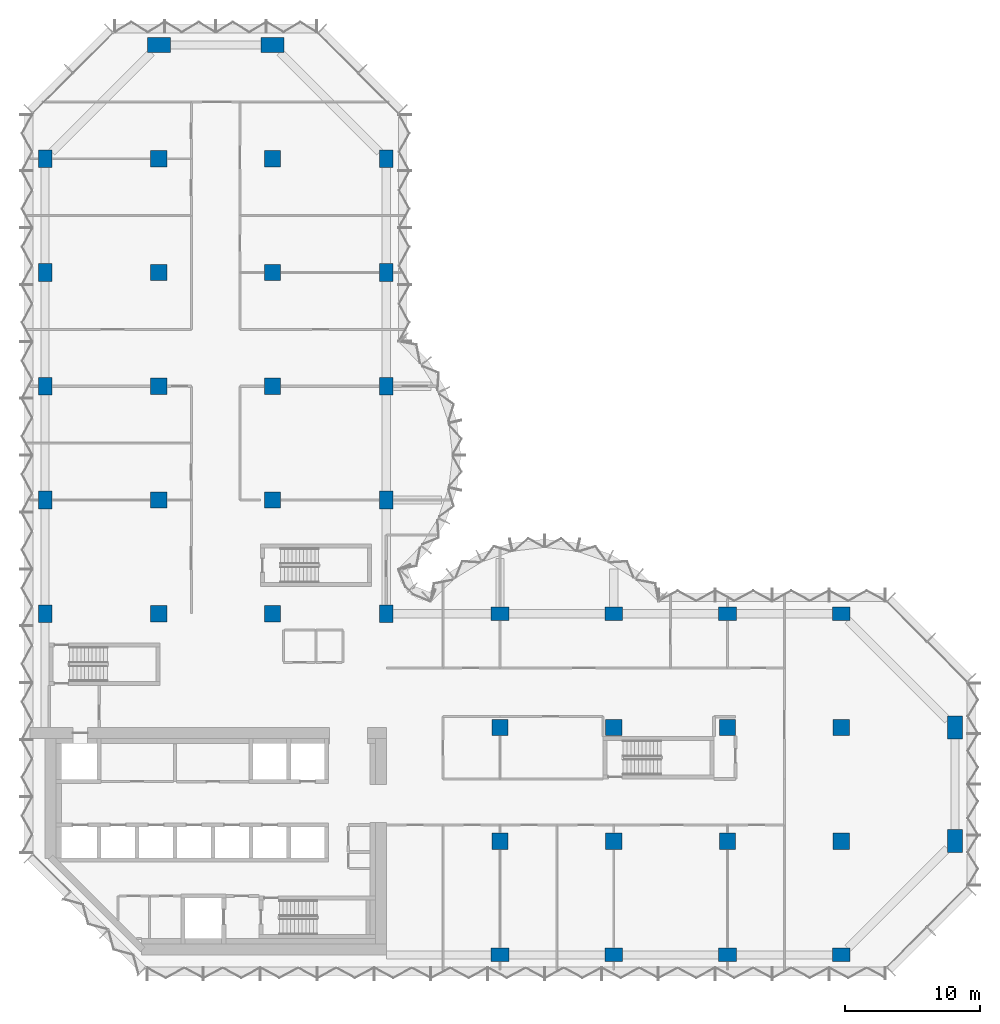
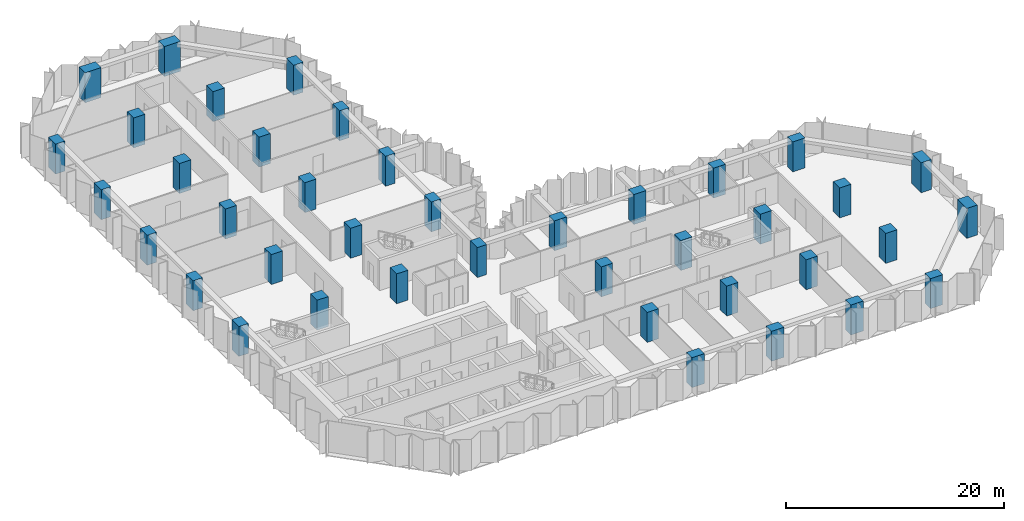
# One storey, part 1 of 13: 40 columns.
"""IFC4 building model written with IfcOpenShell, lengths in metres."""

import ifcopenshell
import ifcopenshell.guid

model = None  # the IFC model being written
_history = None  # IfcOwnerHistory: only IFC2X3 demands one
_inside = {}  # id of a spatial element -> (the spatial element, [elements in it])
_under = {}  # id of a project, library or spatial element -> (it, [spatial elements below it])
_declared = {}  # id of a project -> (the project, [libraries it declares])
_typed = {}  # id of a type object -> (the type object, [elements of that type])
_made_of = {}  # id of a material, layer set ... -> (it, [elements and type objects made of it])


def new_model(schema):
    """Start an empty IFC model of exactly this schema.

    Asked for "IFC4X3", IfcOpenShell would pick the latest addendum, in which some entities
    have other attributes; the version numbers below select the first issue.
    IFC2X3 requires an IfcOwnerHistory on every rooted entity: one is made here for all.
    """
    global model, _history
    if schema == "IFC4X3":
        model = ifcopenshell.file(schema_version=(4, 3, 0, 0))
    else:
        model = ifcopenshell.file(schema=schema)
    _inside.clear()
    _under.clear()
    _declared.clear()
    _typed.clear()
    _made_of.clear()
    _history = None
    if model.schema == "IFC2X3":
        org = make("IfcOrganization", Name="unknown")
        user = make(
            "IfcPersonAndOrganization",
            ThePerson=make("IfcPerson", FamilyName="unknown"),
            TheOrganization=org,
        )
        app = make(
            "IfcApplication",
            ApplicationDeveloper=org,
            Version="unknown",
            ApplicationFullName="unknown",
            ApplicationIdentifier="unknown",
        )
        _history = make(
            "IfcOwnerHistory",
            OwningUser=user,
            OwningApplication=app,
            ChangeAction="ADDED",
            CreationDate=0,
        )
    return model


def make(cls, **values):
    """One entity of the class cls with the attributes given. An attribute that is None is left unset."""
    return model.create_entity(
        cls, **{name: value for name, value in values.items() if value is not None}
    )


def rooted(cls, **values):
    """An entity with a GlobalId (a new one), such as an element, a storey or a relation."""
    return make(cls, GlobalId=ifcopenshell.guid.new(), OwnerHistory=_history, **values)


def si_unit(unit_type, name, prefix=None):
    """IfcSIUnit, for example si_unit("LENGTHUNIT", "METRE", prefix="MILLI")."""
    return make("IfcSIUnit", UnitType=unit_type, Prefix=prefix, Name=name)


def assignment(units):
    """IfcUnitAssignment: the units of a project."""
    return None if units is None else make("IfcUnitAssignment", Units=units)


def point(xyz):
    """IfcCartesianPoint."""
    return None if xyz is None else make("IfcCartesianPoint", Coordinates=xyz)


def direction(xyz):
    """IfcDirection."""
    return None if xyz is None else make("IfcDirection", DirectionRatios=xyz)


def frame(location, z_axis=None, x_axis=None):
    """IfcAxis2Placement3D, a coordinate frame: its origin and axes. An axis left out is left unset."""
    return make(
        "IfcAxis2Placement3D",
        Location=point(location),
        Axis=direction(z_axis),
        RefDirection=direction(x_axis),
    )


def frame_2d(location, x_axis=None):
    """IfcAxis2Placement2D, a coordinate frame in the plane: its origin and x axis."""
    return make(
        "IfcAxis2Placement2D", Location=point(location), RefDirection=direction(x_axis)
    )


def origin():
    """The frame at (0, 0, 0) with its axes left unset."""
    return frame((0.0, 0.0, 0.0))


def origin_2d():
    """The frame at (0, 0) in the plane with its x axis left unset."""
    return frame_2d((0.0, 0.0))


def place(relative_to, where):
    """IfcLocalPlacement: puts the frame where relative to a parent placement (None: the world)."""
    return make(
        "IfcLocalPlacement", PlacementRelTo=relative_to, RelativePlacement=where
    )


def context(
    kind, dimensions, precision=None, world=None, true_north=None, identifier=None
):
    """IfcGeometricRepresentationContext, for example the 3D "Model" context."""
    return make(
        "IfcGeometricRepresentationContext",
        ContextIdentifier=identifier,
        ContextType=kind,
        CoordinateSpaceDimension=dimensions,
        Precision=precision,
        WorldCoordinateSystem=world,
        TrueNorth=true_north,
    )


def subcontext(parent, identifier, kind, view, scale=None):
    """IfcGeometricRepresentationSubContext, for example "Body" below "Model"."""
    return make(
        "IfcGeometricRepresentationSubContext",
        ContextIdentifier=identifier,
        ContextType=kind,
        ParentContext=parent,
        TargetScale=scale,
        TargetView=view,
    )


def project(units=None, contexts=None):
    """IfcProject with its units and contexts."""
    return rooted(
        "IfcProject",
        Name="project",
        RepresentationContexts=contexts,
        UnitsInContext=assignment(units),
    )


def spatial(cls, under=None, at=None, **own):
    """A site, building, storey or space (cls), placed at a placement, below another one or the project."""
    s = rooted(cls, ObjectPlacement=at, **own)
    if under is not None:
        _under.setdefault(under.id(), (under, []))[1].append(s)
    return s


def profile(cls, at=None, kind="AREA", **sizes):
    """A parametric profile (cls). Its sizes go by their IFC names, for example OverallWidth=200.0."""
    return make(cls, ProfileType=kind, Position=at, **sizes)


def rectangle(**sizes):
    """IfcRectangleProfileDef."""
    return profile("IfcRectangleProfileDef", **sizes)


def extrude(swept, where, along, depth):
    """IfcExtrudedAreaSolid: the profile swept, set in the frame where, extruded along a direction by depth."""
    return make(
        "IfcExtrudedAreaSolid",
        SweptArea=swept,
        Position=where,
        ExtrudedDirection=direction(along),
        Depth=depth,
    )


def shape(context_of_items, identifier, shape_type, items):
    """IfcShapeRepresentation: the items that make up one representation, for example the "Body"."""
    return make(
        "IfcShapeRepresentation",
        ContextOfItems=context_of_items,
        RepresentationIdentifier=identifier,
        RepresentationType=shape_type,
        Items=items,
    )


def material(Name=None, Category=None):
    """IfcMaterial."""
    return make("IfcMaterial", Name=Name, Category=Category)


def material_profile(
    of_material, cross_section, Name=None, Category=None, Priority=None
):
    """IfcMaterialProfile: a cross section and its material."""
    return make(
        "IfcMaterialProfile",
        Name=Name,
        Material=of_material,
        Profile=cross_section,
        Priority=Priority,
        Category=Category,
    )


def profile_set(profiles, Name=None, composite=None):
    """IfcMaterialProfileSet."""
    return make(
        "IfcMaterialProfileSet",
        Name=Name,
        MaterialProfiles=profiles,
        CompositeProfile=composite,
    )


def made_of(thing, what):
    """Note that an element or type object is made of a material, layer set ...; save() writes the relation."""
    if what is not None:
        _made_of.setdefault(what.id(), (what, []))[1].append(thing)
    return thing


def type_object(cls, material=None, **own):
    """A type object (cls), such as IfcWallType, which elements share."""
    return made_of(rooted(cls, **own), material)


def element(
    cls,
    number,
    at=None,
    inside=None,
    cuts=None,
    type_object=None,
    material=None,
    context=None,
    identifier="Body",
    shape_type=None,
    held_by="IfcProductDefinitionShape",
    body=None,
    shapes=None,
    **own,
):
    """One element of the class cls, such as IfcWall. Its Tag is "e" and its number.

    at: its placement. inside: the storey or other place that contains it. cuts: it is an
    opening in that element (IfcRelVoidsElement). A single representation is given by context,
    identifier, shape_type and body (its items); several are given by shapes. held_by: the class
    of the entity that holds the representations. save() writes the other relations.
    """
    e = rooted(cls, Tag="e%d" % number, ObjectPlacement=at, **own)
    if body is not None:
        shapes = [shape(context, identifier, shape_type, body)]
    if shapes is not None:
        e.Representation = make(held_by, Representations=shapes)
    if inside is not None:
        _inside.setdefault(inside.id(), (inside, []))[1].append(e)
    if cuts is not None:
        rooted(
            "IfcRelVoidsElement", RelatingBuildingElement=cuts, RelatedOpeningElement=e
        )
    if type_object is not None:
        _typed.setdefault(type_object.id(), (type_object, []))[1].append(e)
    return made_of(e, material)


def aggregate(whole, parts):
    """IfcRelAggregates: a whole, such as a stair, and the parts it consists of."""
    return rooted("IfcRelAggregates", RelatingObject=whole, RelatedObjects=parts)


def save(model, path):
    """Write the relations noted so far, then the file.

    IfcRelAggregates (storeys below a building ...), IfcRelContainedInSpatialStructure (elements
    in a storey), IfcRelDefinesByType, IfcRelAssociatesMaterial and IfcRelDeclares: one each for
    every whole, place, type object, material and project.
    """
    for whole, parts in _under.values():
        aggregate(whole, parts)
    for where, things in _inside.values():
        rooted(
            "IfcRelContainedInSpatialStructure",
            RelatedElements=things,
            RelatingStructure=where,
        )
    for kind, things in _typed.values():
        rooted("IfcRelDefinesByType", RelatedObjects=things, RelatingType=kind)
    for what, things in _made_of.values():
        rooted("IfcRelAssociatesMaterial", RelatedObjects=things, RelatingMaterial=what)
    for by, libraries in _declared.values():
        rooted("IfcRelDeclares", RelatingContext=by, RelatedDefinitions=libraries)
    model.write(path)


model = new_model("IFC4")

# Units and contexts
model_context = context("Model", 3, precision=1e-05, world=origin(), true_north=direction((0.0, 1.0)))
body_context = subcontext(model_context, "Body", "Model", "MODEL_VIEW")
ifc_project = project(units=[si_unit("LENGTHUNIT", "METRE"), si_unit("AREAUNIT", "SQUARE_METRE"), si_unit("VOLUMEUNIT", "CUBIC_METRE"), si_unit("PLANEANGLEUNIT", "RADIAN"), si_unit("MASSUNIT", "GRAM", prefix="KILO")], contexts=[model_context])

# Site, building, storey
site_placement = place(None, origin())
site = spatial("IfcSite", under=ifc_project, at=site_placement, CompositionType="ELEMENT")
building_placement = place(site_placement, origin())
building = spatial("IfcBuilding", under=site, at=building_placement, Name="Brevane Broadcast Tower", CompositionType="ELEMENT")
storey_placement = place(building_placement, frame((0.0, 0.0, 127.699951171875)))
storey = spatial("IfcBuildingStorey", under=building, at=storey_placement, Name="L31", CompositionType="ELEMENT", Elevation=127.699951171875)

# Columns
ifc_material = material(Name="Concrete C60/75", Category="concrete")
ifc_material_profile_1 = material_profile(ifc_material, rectangle(XDim=1.0, YDim=1.300048828125, at=origin_2d()), Name="RC 1000x1300")
ifc_profile_set_1 = profile_set([ifc_material_profile_1], Name="Concrete C60/75")
column_type_1 = type_object("IfcColumnType", Name="RC COLUMN EDGE 1000x1300 C60/75", PredefinedType="COLUMN", material=ifc_profile_set_1)
for number, where, z_axis, x_axis, name in (
    (1, (0.0, 25.199951171875, 0.0), (0.0, 0.0, 1.0), (1.0, 0.0, 0.0), "CE8 1/D"),
    (2, (0.0, 33.60009765625, 0.0), (0.0, 0.0, 1.0), (1.0, 0.0, 0.0), "CE8 1/E"),
    (3, (0.0, 42.0, 0.0), (0.0, 0.0, 1.0), (1.0, 0.0, 0.0), "CE8 1/F"),
    (4, (0.0, 50.39990234375, 0.0), (0.0, 0.0, 1.0), (1.0, 0.0, 0.0), "CE8 1/G"),
    (5, (0.0, 58.800048828125, 0.0), (0.0, 0.0, 1.0), (1.0, 0.0, 0.0), "CE8 1/H"),
    (6, (25.199951171875, 25.199951171875, 0.0), (0.0, 0.0, 1.0), (1.0, 0.0, 0.0), "CE8 4/D"),
    (7, (25.199951171875, 33.60009765625, 0.0), (0.0, 0.0, 1.0), (1.0, 0.0, 0.0), "CE8 4/E"),
    (8, (25.199951171875, 42.0, 0.0), (0.0, 0.0, 1.0), (1.0, 0.0, 0.0), "CE8 4/F"),
    (9, (25.199951171875, 50.39990234375, 0.0), (0.0, 0.0, 1.0), (1.0, 0.0, 0.0), "CE8 4/G"),
    (10, (25.199951171875, 58.800048828125, 0.0), (0.0, 0.0, 1.0), (1.0, 0.0, 0.0), "CE8 4/H"),
    (11, (33.60009765625, 0.0, 0.0), (0.0, 0.0, 1.0), (0.0, 1.0, 0.0), "CE8 5/A"),
    (12, (33.60009765625, 25.199951171875, 0.0), (0.0, 0.0, 1.0), (0.0, 1.0, 0.0), "CE8 5/D"),
    (13, (42.0, 0.0, 0.0), (0.0, 0.0, 1.0), (0.0, 1.0, 0.0), "CE8 6/A"),
    (14, (42.0, 25.199951171875, 0.0), (0.0, 0.0, 1.0), (0.0, 1.0, 0.0), "CE8 6/D"),
    (15, (50.39990234375, 0.0, 0.0), (0.0, 0.0, 1.0), (0.0, 1.0, 0.0), "CE8 7/A"),
    (16, (50.39990234375, 25.199951171875, 0.0), (0.0, 0.0, 1.0), (0.0, 1.0, 0.0), "CE8 7/D"),
    (17, (58.800048828125, 0.0, 0.0), (0.0, 0.0, 1.0), (0.0, 1.0, 0.0), "CE8 8/A"),
    (18, (58.800048828125, 25.199951171875, 0.0), (0.0, 0.0, 1.0), (0.0, 1.0, 0.0), "CE8 8/D"),
):
    element("IfcColumn", number, at=place(storey_placement, frame(where, z_axis=z_axis, x_axis=x_axis)), inside=storey, type_object=column_type_1, Name=name, PredefinedType="COLUMN", context=body_context, shape_type="SweptSolid", body=[
        extrude(rectangle(XDim=1.0, YDim=1.300048828125, at=origin_2d()), origin(), (0.0, 0.0, 1.0), 3.35009765625),
    ])
ifc_material_profile_2 = material_profile(ifc_material, rectangle(XDim=1.199951171875, YDim=1.199951171875, at=origin_2d()), Name="RC 1200x1200")
ifc_profile_set_2 = profile_set([ifc_material_profile_2], Name="Concrete C60/75")
column_type_2 = type_object("IfcColumnType", Name="RC COLUMN INTERIOR 1200x1200 C60/75", PredefinedType="COLUMN", material=ifc_profile_set_2)
for number, where, z_axis, x_axis, name in (
    (19, (8.39990234375, 25.199951171875, 0.0), (0.0, 0.0, 1.0), (1.0, 0.0, 0.0), "CI9 2/D"),
    (20, (8.39990234375, 33.60009765625, 0.0), (0.0, 0.0, 1.0), (1.0, 0.0, 0.0), "CI9 2/E"),
    (21, (8.39990234375, 42.0, 0.0), (0.0, 0.0, 1.0), (1.0, 0.0, 0.0), "CI9 2/F"),
    (22, (8.39990234375, 50.39990234375, 0.0), (0.0, 0.0, 1.0), (1.0, 0.0, 0.0), "CI9 2/G"),
    (23, (8.39990234375, 58.800048828125, 0.0), (0.0, 0.0, 1.0), (1.0, 0.0, 0.0), "CI9 2/H"),
    (24, (16.800048828125, 25.199951171875, 0.0), (0.0, 0.0, 1.0), (1.0, 0.0, 0.0), "CI9 3/D"),
    (25, (16.800048828125, 33.60009765625, 0.0), (0.0, 0.0, 1.0), (1.0, 0.0, 0.0), "CI9 3/E"),
    (26, (16.800048828125, 42.0, 0.0), (0.0, 0.0, 1.0), (1.0, 0.0, 0.0), "CI9 3/F"),
    (27, (16.800048828125, 50.39990234375, 0.0), (0.0, 0.0, 1.0), (1.0, 0.0, 0.0), "CI9 3/G"),
    (28, (16.800048828125, 58.800048828125, 0.0), (0.0, 0.0, 1.0), (1.0, 0.0, 0.0), "CI9 3/H"),
    (29, (33.60009765625, 8.39990234375, 0.0), (0.0, 0.0, 1.0), (1.0, 0.0, 0.0), "CI9 5/B"),
    (30, (33.60009765625, 16.800048828125, 0.0), (0.0, 0.0, 1.0), (1.0, 0.0, 0.0), "CI9 5/C"),
    (31, (42.0, 8.39990234375, 0.0), (0.0, 0.0, 1.0), (1.0, 0.0, 0.0), "CI9 6/B"),
    (32, (42.0, 16.800048828125, 0.0), (0.0, 0.0, 1.0), (1.0, 0.0, 0.0), "CI9 6/C"),
    (33, (50.39990234375, 8.39990234375, 0.0), (0.0, 0.0, 1.0), (1.0, 0.0, 0.0), "CI9 7/B"),
    (34, (50.39990234375, 16.800048828125, 0.0), (0.0, 0.0, 1.0), (1.0, 0.0, 0.0), "CI9 7/C"),
    (35, (58.800048828125, 8.39990234375, 0.0), (0.0, 0.0, 1.0), (1.0, 0.0, 0.0), "CI9 8/B"),
    (36, (58.800048828125, 16.800048828125, 0.0), (0.0, 0.0, 1.0), (1.0, 0.0, 0.0), "CI9 8/C"),
):
    element("IfcColumn", number, at=place(storey_placement, frame(where, z_axis=z_axis, x_axis=x_axis)), inside=storey, type_object=column_type_2, Name=name, PredefinedType="COLUMN", context=body_context, shape_type="SweptSolid", body=[
        extrude(rectangle(XDim=1.199951171875, YDim=1.199951171875, at=origin_2d()), origin(), (0.0, 0.0, 1.0), 3.35009765625),
    ])
ifc_material_profile_3 = material_profile(ifc_material, rectangle(XDim=1.10009765625, YDim=1.699951171875, at=origin_2d()), Name="RC 1100x1700")
ifc_profile_set_3 = profile_set([ifc_material_profile_3], Name="Concrete C60/75")
column_type_3 = type_object("IfcColumnType", Name="RC COLUMN WING-END 1100x1700 C60/75", PredefinedType="COLUMN", material=ifc_profile_set_3)
for number, where, z_axis, x_axis, name in (
    (37, (8.39990234375, 67.199951171875, 0.0), (0.0, 0.0, 1.0), (0.0, 1.0, 0.0), "CW10 2/I"),
    (38, (16.800048828125, 67.199951171875, 0.0), (0.0, 0.0, 1.0), (0.0, 1.0, 0.0), "CW10 3/I"),
    (39, (67.199951171875, 8.39990234375, 0.0), (0.0, 0.0, 1.0), (1.0, 0.0, 0.0), "CW10 9/B"),
    (40, (67.199951171875, 16.800048828125, 0.0), (0.0, 0.0, 1.0), (1.0, 0.0, 0.0), "CW10 9/C"),
):
    element("IfcColumn", number, at=place(storey_placement, frame(where, z_axis=z_axis, x_axis=x_axis)), inside=storey, type_object=column_type_3, Name=name, PredefinedType="COLUMN", context=body_context, shape_type="SweptSolid", body=[
        extrude(rectangle(XDim=1.10009765625, YDim=1.699951171875, at=origin_2d()), origin(), (0.0, 0.0, 1.0), 3.35009765625),
    ])

save(model, "model.ifc")
